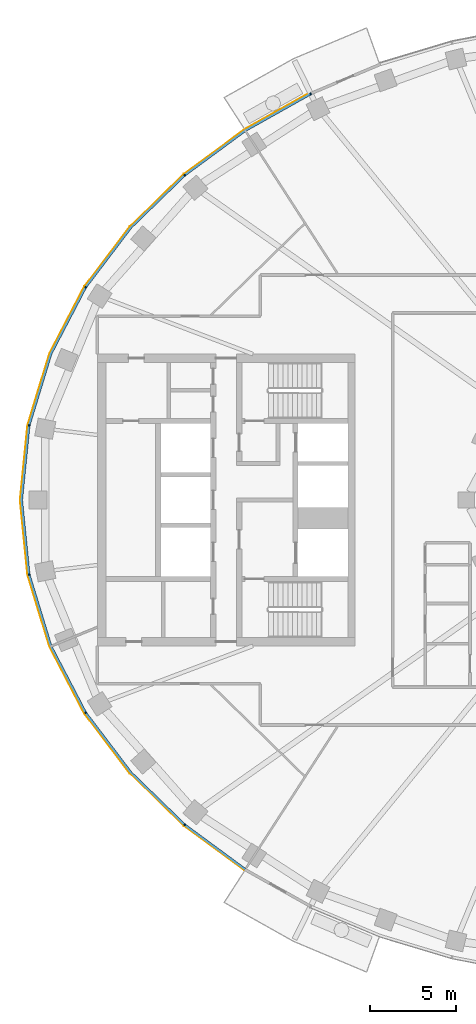
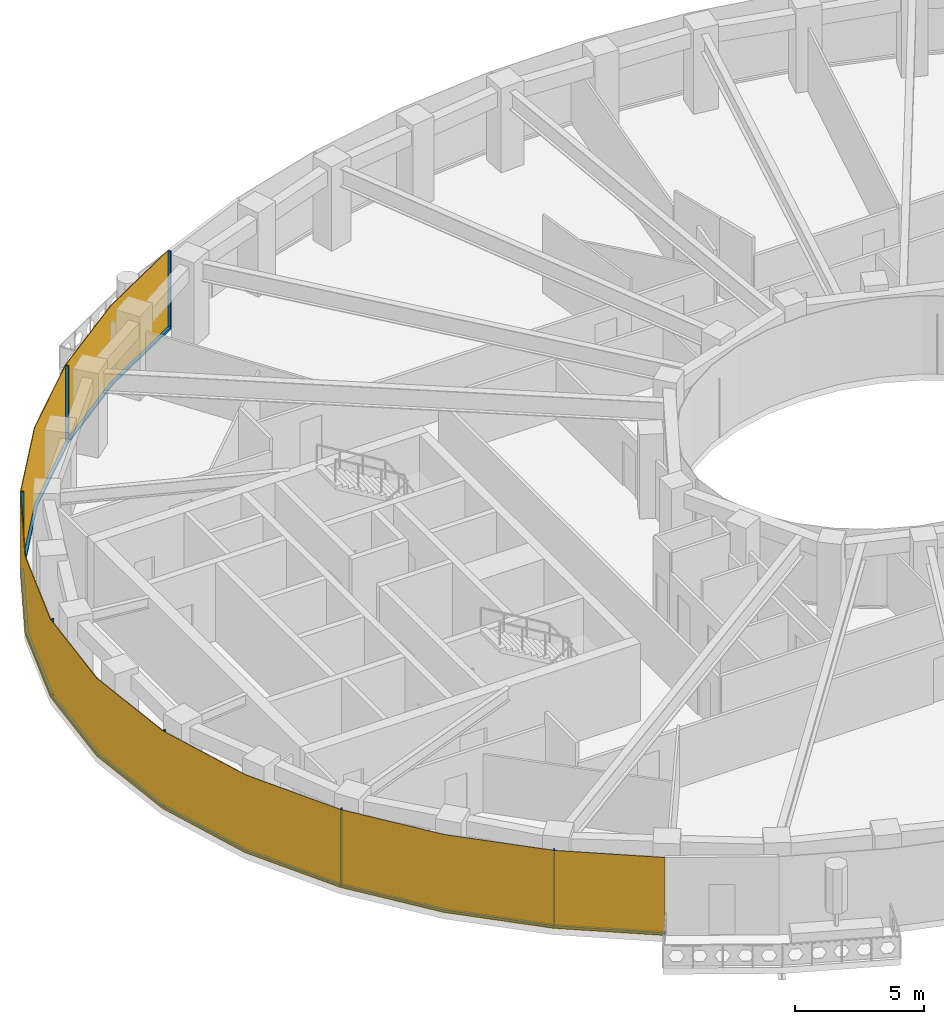
# One storey, part 8 of 15: 14 members, 1 curtain wall.
"""IFC4 building model written with IfcOpenShell, lengths in metres."""

import ifcopenshell
import ifcopenshell.guid

model = None  # the IFC model being written
_history = None  # IfcOwnerHistory: only IFC2X3 demands one
_inside = {}  # id of a spatial element -> (the spatial element, [elements in it])
_under = {}  # id of a project, library or spatial element -> (it, [spatial elements below it])
_declared = {}  # id of a project -> (the project, [libraries it declares])
_typed = {}  # id of a type object -> (the type object, [elements of that type])
_made_of = {}  # id of a material, layer set ... -> (it, [elements and type objects made of it])


def new_model(schema):
    """Start an empty IFC model of exactly this schema.

    Asked for "IFC4X3", IfcOpenShell would pick the latest addendum, in which some entities
    have other attributes; the version numbers below select the first issue.
    IFC2X3 requires an IfcOwnerHistory on every rooted entity: one is made here for all.
    """
    global model, _history
    if schema == "IFC4X3":
        model = ifcopenshell.file(schema_version=(4, 3, 0, 0))
    else:
        model = ifcopenshell.file(schema=schema)
    _inside.clear()
    _under.clear()
    _declared.clear()
    _typed.clear()
    _made_of.clear()
    _history = None
    if model.schema == "IFC2X3":
        org = make("IfcOrganization", Name="unknown")
        user = make(
            "IfcPersonAndOrganization",
            ThePerson=make("IfcPerson", FamilyName="unknown"),
            TheOrganization=org,
        )
        app = make(
            "IfcApplication",
            ApplicationDeveloper=org,
            Version="unknown",
            ApplicationFullName="unknown",
            ApplicationIdentifier="unknown",
        )
        _history = make(
            "IfcOwnerHistory",
            OwningUser=user,
            OwningApplication=app,
            ChangeAction="ADDED",
            CreationDate=0,
        )
    return model


def make(cls, **values):
    """One entity of the class cls with the attributes given. An attribute that is None is left unset."""
    return model.create_entity(
        cls, **{name: value for name, value in values.items() if value is not None}
    )


def rooted(cls, **values):
    """An entity with a GlobalId (a new one), such as an element, a storey or a relation."""
    return make(cls, GlobalId=ifcopenshell.guid.new(), OwnerHistory=_history, **values)


def si_unit(unit_type, name, prefix=None):
    """IfcSIUnit, for example si_unit("LENGTHUNIT", "METRE", prefix="MILLI")."""
    return make("IfcSIUnit", UnitType=unit_type, Prefix=prefix, Name=name)


def assignment(units):
    """IfcUnitAssignment: the units of a project."""
    return None if units is None else make("IfcUnitAssignment", Units=units)


def point(xyz):
    """IfcCartesianPoint."""
    return None if xyz is None else make("IfcCartesianPoint", Coordinates=xyz)


def direction(xyz):
    """IfcDirection."""
    return None if xyz is None else make("IfcDirection", DirectionRatios=xyz)


def frame(location, z_axis=None, x_axis=None):
    """IfcAxis2Placement3D, a coordinate frame: its origin and axes. An axis left out is left unset."""
    return make(
        "IfcAxis2Placement3D",
        Location=point(location),
        Axis=direction(z_axis),
        RefDirection=direction(x_axis),
    )


def frame_2d(location, x_axis=None):
    """IfcAxis2Placement2D, a coordinate frame in the plane: its origin and x axis."""
    return make(
        "IfcAxis2Placement2D", Location=point(location), RefDirection=direction(x_axis)
    )


def origin():
    """The frame at (0, 0, 0) with its axes left unset."""
    return frame((0.0, 0.0, 0.0))


def origin_2d():
    """The frame at (0, 0) in the plane with its x axis left unset."""
    return frame_2d((0.0, 0.0))


def place(relative_to, where):
    """IfcLocalPlacement: puts the frame where relative to a parent placement (None: the world)."""
    return make(
        "IfcLocalPlacement", PlacementRelTo=relative_to, RelativePlacement=where
    )


def context(
    kind, dimensions, precision=None, world=None, true_north=None, identifier=None
):
    """IfcGeometricRepresentationContext, for example the 3D "Model" context."""
    return make(
        "IfcGeometricRepresentationContext",
        ContextIdentifier=identifier,
        ContextType=kind,
        CoordinateSpaceDimension=dimensions,
        Precision=precision,
        WorldCoordinateSystem=world,
        TrueNorth=true_north,
    )


def subcontext(parent, identifier, kind, view, scale=None):
    """IfcGeometricRepresentationSubContext, for example "Body" below "Model"."""
    return make(
        "IfcGeometricRepresentationSubContext",
        ContextIdentifier=identifier,
        ContextType=kind,
        ParentContext=parent,
        TargetScale=scale,
        TargetView=view,
    )


def project(units=None, contexts=None):
    """IfcProject with its units and contexts."""
    return rooted(
        "IfcProject",
        Name="project",
        RepresentationContexts=contexts,
        UnitsInContext=assignment(units),
    )


def spatial(cls, under=None, at=None, **own):
    """A site, building, storey or space (cls), placed at a placement, below another one or the project."""
    s = rooted(cls, ObjectPlacement=at, **own)
    if under is not None:
        _under.setdefault(under.id(), (under, []))[1].append(s)
    return s


def polyline(points):
    """IfcPolyline through the points."""
    return make("IfcPolyline", Points=[point(p) for p in points])


def profile(cls, at=None, kind="AREA", **sizes):
    """A parametric profile (cls). Its sizes go by their IFC names, for example OverallWidth=200.0."""
    return make(cls, ProfileType=kind, Position=at, **sizes)


def rectangle(**sizes):
    """IfcRectangleProfileDef."""
    return profile("IfcRectangleProfileDef", **sizes)


def outline(outer, holes=None, kind="AREA"):
    """IfcArbitraryClosedProfileDef: a profile drawn as a closed curve; with holes, ...WithVoids."""
    if holes is None:
        return make("IfcArbitraryClosedProfileDef", ProfileType=kind, OuterCurve=outer)
    return make(
        "IfcArbitraryProfileDefWithVoids",
        ProfileType=kind,
        OuterCurve=outer,
        InnerCurves=holes,
    )


def extrude(swept, where, along, depth):
    """IfcExtrudedAreaSolid: the profile swept, set in the frame where, extruded along a direction by depth."""
    return make(
        "IfcExtrudedAreaSolid",
        SweptArea=swept,
        Position=where,
        ExtrudedDirection=direction(along),
        Depth=depth,
    )


def shape(context_of_items, identifier, shape_type, items):
    """IfcShapeRepresentation: the items that make up one representation, for example the "Body"."""
    return make(
        "IfcShapeRepresentation",
        ContextOfItems=context_of_items,
        RepresentationIdentifier=identifier,
        RepresentationType=shape_type,
        Items=items,
    )


def material(Name=None, Category=None):
    """IfcMaterial."""
    return make("IfcMaterial", Name=Name, Category=Category)


def layer(
    of_material, thickness, ventilated=None, Name=None, Category=None, Priority=None
):
    """IfcMaterialLayer: one layer of a wall or slab, of a material (None: an air gap)."""
    return make(
        "IfcMaterialLayer",
        Material=of_material,
        LayerThickness=thickness,
        IsVentilated=ventilated,
        Name=Name,
        Category=Category,
        Priority=Priority,
    )


def layer_set(layers, Name=None):
    """IfcMaterialLayerSet."""
    return make("IfcMaterialLayerSet", MaterialLayers=layers, LayerSetName=Name)


def material_profile(
    of_material, cross_section, Name=None, Category=None, Priority=None
):
    """IfcMaterialProfile: a cross section and its material."""
    return make(
        "IfcMaterialProfile",
        Name=Name,
        Material=of_material,
        Profile=cross_section,
        Priority=Priority,
        Category=Category,
    )


def profile_set(profiles, Name=None, composite=None):
    """IfcMaterialProfileSet."""
    return make(
        "IfcMaterialProfileSet",
        Name=Name,
        MaterialProfiles=profiles,
        CompositeProfile=composite,
    )


def made_of(thing, what):
    """Note that an element or type object is made of a material, layer set ...; save() writes the relation."""
    if what is not None:
        _made_of.setdefault(what.id(), (what, []))[1].append(thing)
    return thing


def type_object(cls, material=None, **own):
    """A type object (cls), such as IfcWallType, which elements share."""
    return made_of(rooted(cls, **own), material)


def element(
    cls,
    number,
    at=None,
    inside=None,
    cuts=None,
    type_object=None,
    material=None,
    context=None,
    identifier="Body",
    shape_type=None,
    held_by="IfcProductDefinitionShape",
    body=None,
    shapes=None,
    **own,
):
    """One element of the class cls, such as IfcWall. Its Tag is "e" and its number.

    at: its placement. inside: the storey or other place that contains it. cuts: it is an
    opening in that element (IfcRelVoidsElement). A single representation is given by context,
    identifier, shape_type and body (its items); several are given by shapes. held_by: the class
    of the entity that holds the representations. save() writes the other relations.
    """
    e = rooted(cls, Tag="e%d" % number, ObjectPlacement=at, **own)
    if body is not None:
        shapes = [shape(context, identifier, shape_type, body)]
    if shapes is not None:
        e.Representation = make(held_by, Representations=shapes)
    if inside is not None:
        _inside.setdefault(inside.id(), (inside, []))[1].append(e)
    if cuts is not None:
        rooted(
            "IfcRelVoidsElement", RelatingBuildingElement=cuts, RelatedOpeningElement=e
        )
    if type_object is not None:
        _typed.setdefault(type_object.id(), (type_object, []))[1].append(e)
    return made_of(e, material)


def aggregate(whole, parts):
    """IfcRelAggregates: a whole, such as a stair, and the parts it consists of."""
    return rooted("IfcRelAggregates", RelatingObject=whole, RelatedObjects=parts)


def save(model, path):
    """Write the relations noted so far, then the file.

    IfcRelAggregates (storeys below a building ...), IfcRelContainedInSpatialStructure (elements
    in a storey), IfcRelDefinesByType, IfcRelAssociatesMaterial and IfcRelDeclares: one each for
    every whole, place, type object, material and project.
    """
    for whole, parts in _under.values():
        aggregate(whole, parts)
    for where, things in _inside.values():
        rooted(
            "IfcRelContainedInSpatialStructure",
            RelatedElements=things,
            RelatingStructure=where,
        )
    for kind, things in _typed.values():
        rooted("IfcRelDefinesByType", RelatedObjects=things, RelatingType=kind)
    for what, things in _made_of.values():
        rooted("IfcRelAssociatesMaterial", RelatedObjects=things, RelatingMaterial=what)
    for by, libraries in _declared.values():
        rooted("IfcRelDeclares", RelatingContext=by, RelatedDefinitions=libraries)
    model.write(path)


model = new_model("IFC4")

# Units and contexts
model_context = context("Model", 3, precision=1e-05, world=origin(), true_north=direction((0.0, 1.0)))
body_context = subcontext(model_context, "Body", "Model", "MODEL_VIEW")
ifc_project = project(units=[si_unit("LENGTHUNIT", "METRE"), si_unit("AREAUNIT", "SQUARE_METRE"), si_unit("VOLUMEUNIT", "CUBIC_METRE"), si_unit("PLANEANGLEUNIT", "RADIAN"), si_unit("MASSUNIT", "GRAM", prefix="KILO")], contexts=[model_context])

# Member
ifc_material_1 = material(Name="Aluminium 6063-T6 black anodised", Category="aluminium")
ifc_material_profile = material_profile(ifc_material_1, rectangle(XDim=0.1201171875, YDim=0.06005859375, at=origin_2d()), Name="120x60")
ifc_profile_set = profile_set([ifc_material_profile], Name="Aluminium 6063-T6 black anodised")
member_type_1 = type_object("IfcMemberType", Name="ENV-MULLION-A-120", PredefinedType="MULLION", material=ifc_profile_set)
site_placement = place(None, origin())
building_placement = place(site_placement, origin())
storey_placement = place(building_placement, frame((0.0, 0.0, 265.5)))
member_1_placement = place(storey_placement, frame((-19.06787109375, 23.6474609375, 0.0), z_axis=(0.0, 0.0, 1.0), x_axis=(0.439237769837, -0.898370848563, 0.0)))
member_1 = element("IfcMember", 1, at=member_1_placement, type_object=member_type_1, Name="Mullion A radial 17", PredefinedType="MULLION", context=body_context, shape_type="SweptSolid", body=[
    extrude(rectangle(XDim=0.1201171875, YDim=0.06005859375, at=origin_2d()), origin(), (0.0, 0.0, 1.0), 3.699951171875),
])

member_2_placement = place(storey_placement, frame((-26.403564453125, 18.9130859375, 0.0), z_axis=(0.0, 0.0, 1.0), x_axis=(0.646451313783, -0.762955240435, 0.0)))
member_2 = element("IfcMember", 2, at=member_2_placement, type_object=member_type_1, Name="Mullion A radial 19", PredefinedType="MULLION", context=body_context, shape_type="SweptSolid", body=[
    extrude(rectangle(XDim=0.1201171875, YDim=0.06005859375, at=origin_2d()), origin(), (0.0, 0.0, 1.0), 3.699951171875),
])

member_3_placement = place(storey_placement, frame((-32.177490234375, 12.385498046875, 0.0), z_axis=(0.0, 0.0, 1.0), x_axis=(0.844829880882, -0.53503501976, 0.0)))
member_3 = element("IfcMember", 3, at=member_3_placement, type_object=member_type_1, Name="Mullion A radial 21", PredefinedType="MULLION", context=body_context, shape_type="SweptSolid", body=[
    extrude(rectangle(XDim=0.1201171875, YDim=0.06005859375, at=origin_2d()), origin(), (0.0, 0.0, 1.0), 3.699951171875),
])

member_4_placement = place(storey_placement, frame((-35.470947265625, 4.340576171875, 0.0), z_axis=(0.0, 0.0, 1.0), x_axis=(0.980379083141, -0.19712141776, 0.0)))
member_4 = element("IfcMember", 4, at=member_4_placement, type_object=member_type_1, Name="Mullion A radial 23", PredefinedType="MULLION", context=body_context, shape_type="SweptSolid", body=[
    extrude(rectangle(XDim=0.1201171875, YDim=0.06005859375, at=origin_2d()), origin(), (0.0, 0.0, 1.0), 3.699951171875),
])

member_5_placement = place(storey_placement, frame((-35.470947265625, -4.340576171875, 0.0), z_axis=(0.0, 0.0, 1.0), x_axis=(0.980379083141, 0.19712141776, 0.0)))
member_5 = element("IfcMember", 5, at=member_5_placement, type_object=member_type_1, Name="Mullion A radial 25", PredefinedType="MULLION", context=body_context, shape_type="SweptSolid", body=[
    extrude(rectangle(XDim=0.1201171875, YDim=0.06005859375, at=origin_2d()), origin(), (0.0, 0.0, 1.0), 3.699951171875),
])

member_6_placement = place(storey_placement, frame((-32.177490234375, -12.385498046875, 0.0), z_axis=(0.0, 0.0, 1.0), x_axis=(0.844829880882, 0.53503501976, 0.0)))
member_6 = element("IfcMember", 6, at=member_6_placement, type_object=member_type_1, Name="Mullion A radial 27", PredefinedType="MULLION", context=body_context, shape_type="SweptSolid", body=[
    extrude(rectangle(XDim=0.1201171875, YDim=0.06005859375, at=origin_2d()), origin(), (0.0, 0.0, 1.0), 3.699951171875),
])

member_7_placement = place(storey_placement, frame((-26.403564453125, -18.9130859375, 0.0), z_axis=(0.0, 0.0, 1.0), x_axis=(0.646451313783, 0.762955240435, 0.0)))
member_7 = element("IfcMember", 7, at=member_7_placement, type_object=member_type_1, Name="Mullion A radial 29", PredefinedType="MULLION", context=body_context, shape_type="SweptSolid", body=[
    extrude(rectangle(XDim=0.1201171875, YDim=0.06005859375, at=origin_2d()), origin(), (0.0, 0.0, 1.0), 3.699951171875),
])

ifc_material_2 = material(Name="Aluminium 6063-T6 black anodised", Category="aluminium")
member_type_2 = type_object("IfcMemberType", Name="ENV-TRANSOM-A", PredefinedType="USERDEFINED", material=ifc_material_2)
member_8_placement = place(storey_placement, origin())
member_8 = element("IfcMember", 8, at=member_8_placement, type_object=member_type_2, Name="Transom A radial 17-19", ObjectType="TRANSOM", PredefinedType="USERDEFINED", context=body_context, shape_type="SweptSolid", body=[
    extrude(outline(polyline([(-19.11865234375, 23.687744140625), (-22.9150390625, 21.556884765625), (-26.419921875, 18.975341796875), (-26.342041015625, 18.883544921875), (-22.85009765625, 21.455810546875), (-19.06591796875, 23.57958984375), (-19.11865234375, 23.687744140625)])), origin(), (0.0, 0.0, 1.0), 0.10009765625),
])

member_9_placement = place(storey_placement, origin())
member_9 = element("IfcMember", 9, at=member_9_placement, type_object=member_type_2, Name="Transom A radial 19-21", ObjectType="TRANSOM", PredefinedType="USERDEFINED", context=body_context, shape_type="SweptSolid", body=[
    extrude(outline(polyline([(-26.46240234375, 18.939208984375), (-29.58349609375, 15.906982421875), (-32.211181640625, 12.43994140625), (-32.109375, 12.37548828125), (-29.493408203125, 15.8271484375), (-26.384765625, 18.847412109375), (-26.46240234375, 18.939208984375)])), origin(), (0.0, 0.0, 1.0), 0.10009765625),
])

member_10_placement = place(storey_placement, origin())
member_10 = element("IfcMember", 10, at=member_10_placement, type_object=member_type_2, Name="Transom A radial 21-23", ObjectType="TRANSOM", PredefinedType="USERDEFINED", context=body_context, shape_type="SweptSolid", body=[
    extrude(outline(polyline([(-32.240966796875, 12.392578125), (-34.251220703125, 8.53662109375), (-35.521484375, 4.379150390625), (-35.4033203125, 4.355224609375), (-34.139892578125, 8.490966796875), (-32.139404296875, 12.328369140625), (-32.240966796875, 12.392578125)])), origin(), (0.0, 0.0, 1.0), 0.10009765625),
])

member_11_placement = place(storey_placement, origin())
member_11 = element("IfcMember", 11, at=member_11_placement, type_object=member_type_2, Name="Transom A radial 23-25", ObjectType="TRANSOM", PredefinedType="USERDEFINED", context=body_context, shape_type="SweptSolid", body=[
    extrude(outline(polyline([(-35.532470703125, 4.324462890625), (-35.9677734375, 0.0), (-35.532470703125, -4.324462890625), (-35.414306640625, -4.30078125), (-35.84716796875, 0.0), (-35.414306640625, 4.30078125), (-35.532470703125, 4.324462890625)])), origin(), (0.0, 0.0, 1.0), 0.10009765625),
])

member_12_placement = place(storey_placement, origin())
member_12 = element("IfcMember", 12, at=member_12_placement, type_object=member_type_2, Name="Transom A radial 25-27", ObjectType="TRANSOM", PredefinedType="USERDEFINED", context=body_context, shape_type="SweptSolid", body=[
    extrude(outline(polyline([(-35.521484375, -4.379150390625), (-34.251220703125, -8.53662109375), (-32.240966796875, -12.392578125), (-32.139404296875, -12.328369140625), (-34.139892578125, -8.490966796875), (-35.4033203125, -4.355224609375), (-35.521484375, -4.379150390625)])), origin(), (0.0, 0.0, 1.0), 0.10009765625),
])

member_13_placement = place(storey_placement, origin())
member_13 = element("IfcMember", 13, at=member_13_placement, type_object=member_type_2, Name="Transom A radial 27-29", ObjectType="TRANSOM", PredefinedType="USERDEFINED", context=body_context, shape_type="SweptSolid", body=[
    extrude(outline(polyline([(-32.211181640625, -12.43994140625), (-29.58349609375, -15.906982421875), (-26.46240234375, -18.939208984375), (-26.384765625, -18.847412109375), (-29.493408203125, -15.8271484375), (-32.109375, -12.37548828125), (-32.211181640625, -12.43994140625)])), origin(), (0.0, 0.0, 1.0), 0.10009765625),
])

member_14_placement = place(storey_placement, origin())
member_14 = element("IfcMember", 14, at=member_14_placement, type_object=member_type_2, Name="Transom A radial 29-30", ObjectType="TRANSOM", PredefinedType="USERDEFINED", context=body_context, shape_type="SweptSolid", body=[
    extrude(outline(polyline([(-26.419921875, -18.975341796875), (-22.931396484375, -21.544921875), (-22.8662109375, -21.444091796875), (-26.342041015625, -18.883544921875), (-26.419921875, -18.975341796875)])), origin(), (0.0, 0.0, 1.0), 0.10009765625),
])

# Site, building, storey
site = spatial("IfcSite", under=ifc_project, at=site_placement, CompositionType="ELEMENT")
building = spatial("IfcBuilding", under=site, at=building_placement, Name="Noorbagh Ring Tower", CompositionType="ELEMENT")
storey = spatial("IfcBuildingStorey", under=building, at=storey_placement, Name="L56", CompositionType="ELEMENT", Elevation=265.5)

# Curtain wall
ifc_material_3 = material(Name="Glass dark tinted laminated", Category="glass")
ifc_layer = layer(ifc_material_3, 0.031982421875)
ifc_layer_set = layer_set([ifc_layer], Name="Glass dark tinted laminated")
curtain_wall_type = type_object("IfcCurtainWallType", Name="ENV-CW-A", PredefinedType="NOTDEFINED", material=ifc_layer_set)
curtain_wall_placement = place(storey_placement, origin())
curtain_wall = element("IfcCurtainWall", 15, at=curtain_wall_placement, inside=storey, type_object=curtain_wall_type, Name="Curtain wall A R17", PredefinedType="NOTDEFINED", context=body_context, shape_type="SweptSolid", body=[
    extrude(outline(polyline([(-19.125732421875, 23.720458984375), (-22.9326171875, 21.583740234375), (-26.463134765625, 18.9833984375), (-29.607666015625, 15.927978515625), (-32.255126953125, 12.434814453125), (-34.281005859375, 8.548828125), (-35.561279296875, 4.358642578125), (-36.0, 0.0), (-35.561279296875, -4.358642578125), (-34.281005859375, -8.548828125), (-32.255126953125, -12.434814453125), (-29.607666015625, -15.927978515625), (-26.463134765625, -18.9833984375), (-22.948486328125, -21.572021484375), (-22.931396484375, -21.544921875), (-26.4423828125, -18.958740234375), (-29.58349609375, -15.906982421875), (-32.22802734375, -12.41748046875), (-34.251220703125, -8.53662109375), (-35.529541015625, -4.352294921875), (-35.9677734375, 0.0), (-35.529541015625, 4.352294921875), (-34.251220703125, 8.53662109375), (-32.22802734375, 12.41748046875), (-29.58349609375, 15.906982421875), (-26.4423828125, 18.958740234375), (-22.9150390625, 21.556884765625), (-19.111572265625, 23.691650390625), (-19.125732421875, 23.720458984375)])), origin(), (0.0, 0.0, 1.0), 3.699951171875),
])

aggregate(curtain_wall, [member_1, member_2, member_3, member_4, member_5, member_6, member_7, member_8, member_9, member_10, member_11, member_12, member_13, member_14])

save(model, "model.ifc")
